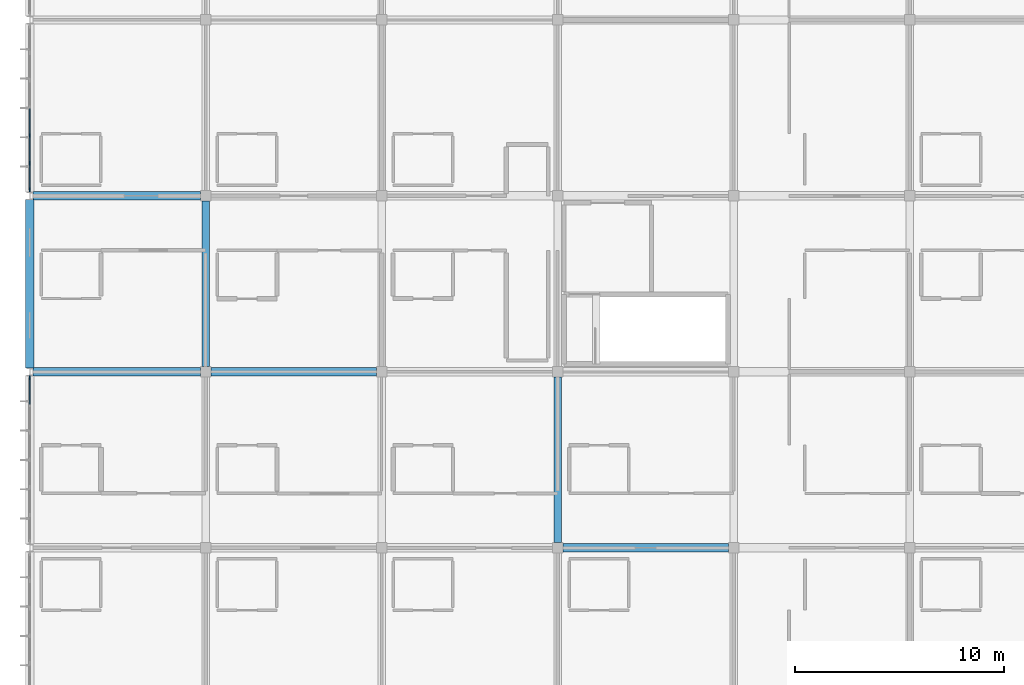
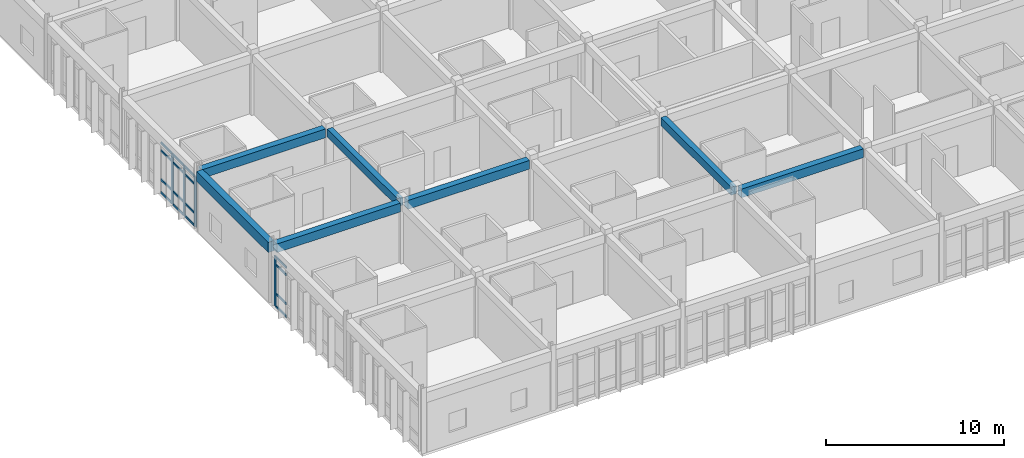
# One storey, part 11 of 144: 20 members, 7 beams, 2 elements without a shape of their own.
"""IFC4 building model written with IfcOpenShell, lengths in metres."""

from ifc_helpers import new_model, si_unit, direction, frame, origin, origin_2d, place, context, subcontext, project, spatial, rectangle, extrude, material, layer, layer_set, material_profile, profile_set, type_object, element, aggregate, save


model = new_model("IFC4")

# Units and contexts
model_context = context("Model", 3, precision=1e-05, world=origin(), true_north=direction((0.0, 1.0)))
body_context = subcontext(model_context, "Body", "Model", "MODEL_VIEW")
ifc_project = project(units=[si_unit("LENGTHUNIT", "METRE"), si_unit("AREAUNIT", "SQUARE_METRE"), si_unit("VOLUMEUNIT", "CUBIC_METRE"), si_unit("PLANEANGLEUNIT", "RADIAN"), si_unit("MASSUNIT", "GRAM", prefix="KILO")], contexts=[model_context])

# Site, building, storey
site_placement = place(None, origin())
site = spatial("IfcSite", under=ifc_project, at=site_placement, CompositionType="ELEMENT")
building_placement = place(site_placement, origin())
building = spatial("IfcBuilding", under=site, at=building_placement, Name="Bramfleet General Hospital", CompositionType="ELEMENT")
storey_placement = place(building_placement, frame((0.0, 0.0, 4.800048828125)))
storey = spatial("IfcBuildingStorey", under=building, at=storey_placement, Name="L01", CompositionType="ELEMENT", Elevation=4.800048828125)

# Beams
ifc_material_1 = material(Name="Concrete C35/45", Category="concrete")
ifc_material_profile_1 = material_profile(ifc_material_1, rectangle(XDim=0.35009765625, YDim=0.550048828125, at=origin_2d()), Name="RC BM 550x350")
ifc_profile_set_1 = profile_set([ifc_material_profile_1], Name="Concrete C35/45")
beam_type_1 = type_object("IfcBeamType", Name="BM-RC550", PredefinedType="BEAM", material=ifc_profile_set_1)
beam_1_placement = place(storey_placement, frame((8.39990234375, 17.050048828125, 3.875), z_axis=(0.0, 1.0, 0.0), x_axis=(-1.0, 0.0, 0.0)))
element("IfcBeam", 1, at=beam_1_placement, inside=storey, type_object=beam_type_1, Name="L01 Grid Beam Y 01-02", PredefinedType="BEAM", context=body_context, shape_type="SweptSolid", body=[
    extrude(rectangle(XDim=0.35009765625, YDim=0.550048828125, at=origin_2d()), origin(), (0.0, 0.0, 1.0), 7.89990234375),
])
beam_2_placement = place(storey_placement, frame((25.199951171875, 8.64990234375, 3.875), z_axis=(0.0, 1.0, 0.0), x_axis=(-1.0, 0.0, 0.0)))
element("IfcBeam", 2, at=beam_2_placement, inside=storey, type_object=beam_type_1, Name="L01 Grid Beam Y 03-01", PredefinedType="BEAM", context=body_context, shape_type="SweptSolid", body=[
    extrude(rectangle(XDim=0.35009765625, YDim=0.550048828125, at=origin_2d()), origin(), (0.0, 0.0, 1.0), 7.900146484375),
])
ifc_material_profile_2 = material_profile(ifc_material_1, rectangle(XDim=0.39990234375, YDim=0.60009765625, at=origin_2d()), Name="RC BM 600x400")
ifc_profile_set_2 = profile_set([ifc_material_profile_2], Name="Concrete C35/45")
beam_type_2 = type_object("IfcBeamType", Name="BM-RC600", PredefinedType="BEAM", material=ifc_profile_set_2)
for number, where, z_axis, x_axis, name in (
    (3, (0.14990234375, 16.800048828125, 3.849853515625), (1.0, 0.0, 0.0), (0.0, 1.0, 0.0), "L01 Grid Beam X 00-02"),
    (4, (0.14990234375, 25.199951171875, 3.849853515625), (1.0, 0.0, 0.0), (0.0, 1.0, 0.0), "L01 Grid Beam X 00-03"),
):
    element("IfcBeam", number, at=place(storey_placement, frame(where, z_axis=z_axis, x_axis=x_axis)), inside=storey, type_object=beam_type_2, Name=name, PredefinedType="BEAM", context=body_context, shape_type="SweptSolid", body=[
        extrude(rectangle(XDim=0.39990234375, YDim=0.60009765625, at=origin_2d()), origin(), (0.0, 0.0, 1.0), 8.0),
    ])
for number, where, z_axis, x_axis, name in (
    (5, (8.64990234375, 16.800048828125, 3.849853515625), (1.0, 0.0, 0.0), (0.0, 1.0, 0.0), "L01 Grid Beam X 01-02"),
    (6, (25.449951171875, 8.39990234375, 3.849853515625), (1.0, 0.0, 0.0), (0.0, 1.0, 0.0), "L01 Grid Beam X 03-01"),
):
    element("IfcBeam", number, at=place(storey_placement, frame(where, z_axis=z_axis, x_axis=x_axis)), inside=storey, type_object=beam_type_2, Name=name, PredefinedType="BEAM", context=body_context, shape_type="SweptSolid", body=[
        extrude(rectangle(XDim=0.39990234375, YDim=0.60009765625, at=origin_2d()), origin(), (0.0, 0.0, 1.0), 7.900146484375),
    ])
ifc_material_profile_3 = material_profile(ifc_material_1, rectangle(XDim=0.39990234375, YDim=0.699951171875, at=origin_2d()), Name="RC SP 700x400")
ifc_profile_set_3 = profile_set([ifc_material_profile_3], Name="Concrete C35/45")
beam_type_3 = type_object("IfcBeamType", Name="BM-SP700", PredefinedType="SPANDREL", material=ifc_profile_set_3)
beam_3_placement = place(storey_placement, frame((0.0, 16.97998046875, 3.800048828125), z_axis=(0.0, 1.0, 0.0), x_axis=(-1.0, 0.0, 0.0)))
element("IfcBeam", 7, at=beam_3_placement, inside=storey, type_object=beam_type_3, Name="L01 Grid Beam Y 00-02", PredefinedType="SPANDREL", context=body_context, shape_type="SweptSolid", body=[
    extrude(rectangle(XDim=0.39990234375, YDim=0.699951171875, at=origin_2d()), origin(), (0.0, 0.0, 1.0), 8.0400390625),
])

# Curtain wall, member
ifc_material_2 = material(Name="Anodised aluminium and low-E triple glazing", Category="aluminium")
ifc_layer_1 = layer(ifc_material_2, 0.179931640625, Name="CWT-CW-18")
ifc_layer_set_1 = layer_set([ifc_layer_1], Name="Anodised aluminium and low-E triple glazing")
curtain_wall_type_1 = type_object("IfcCurtainWallType", Name="CWT-CW-18", PredefinedType="USERDEFINED", material=ifc_layer_set_1)
curtain_wall_1_placement = place(storey_placement, origin())
curtain_wall_1 = element("IfcCurtainWall", 8, at=curtain_wall_1_placement, inside=storey, type_object=curtain_wall_type_1, Name="L01 Curtain Wall 90", ObjectType="Stick curtain wall", PredefinedType="USERDEFINED")
ifc_material_3 = material(Name="Structural timber GL28h", Category="wood")
ifc_material_profile_4 = material_profile(ifc_material_3, rectangle(XDim=0.070068359375, YDim=0.18994140625, at=origin_2d()), Name="LARCH 190x70")
ifc_profile_set_4 = profile_set([ifc_material_profile_4], Name="Structural timber GL28h")
member_type_1 = type_object("IfcMemberType", Name="CWM-LARCH450", PredefinedType="MULLION", material=ifc_profile_set_4)
member_1_placement = place(storey_placement, frame((0.0, 16.510009765625, 0.0), z_axis=(0.0, 0.0, 1.0), x_axis=(-1.0, 0.0, 0.0)))
member_1 = element("IfcMember", 9, at=member_1_placement, type_object=member_type_1, Name="CW-18 mullion 7", PredefinedType="MULLION", context=body_context, shape_type="SweptSolid", body=[
    extrude(rectangle(XDim=0.070068359375, YDim=0.18994140625, at=origin_2d()), origin(), (0.0, 0.0, 1.0), 3.43994140625),
])

# Curtain wall, members
ifc_layer_2 = layer(ifc_material_2, 0.179931640625, Name="CWT-CW-01")
ifc_layer_set_2 = layer_set([ifc_layer_2], Name="Anodised aluminium and low-E triple glazing")
curtain_wall_type_2 = type_object("IfcCurtainWallType", Name="CWT-CW-01", PredefinedType="USERDEFINED", material=ifc_layer_set_2)
curtain_wall_2_placement = place(storey_placement, origin())
curtain_wall_2 = element("IfcCurtainWall", 10, at=curtain_wall_2_placement, inside=storey, type_object=curtain_wall_type_2, Name="L01 Curtain Wall 91", ObjectType="Unitised curtain wall", PredefinedType="USERDEFINED")
member_2_placement = place(storey_placement, frame((0.0, 25.489990234375, 0.0), z_axis=(0.0, 0.0, 1.0), x_axis=(-1.0, 0.0, 0.0)))
member_2 = element("IfcMember", 11, at=member_2_placement, type_object=member_type_1, Name="CW-01 mullion 1", PredefinedType="MULLION", context=body_context, shape_type="SweptSolid", body=[
    extrude(rectangle(XDim=0.070068359375, YDim=0.18994140625, at=origin_2d()), origin(), (0.0, 0.0, 1.0), 3.43994140625),
])
member_3_placement = place(storey_placement, frame((0.0, 26.77001953125, 0.0), z_axis=(0.0, 0.0, 1.0), x_axis=(-1.0, 0.0, 0.0)))
member_3 = element("IfcMember", 12, at=member_3_placement, type_object=member_type_1, Name="CW-01 mullion 2", PredefinedType="MULLION", context=body_context, shape_type="SweptSolid", body=[
    extrude(rectangle(XDim=0.070068359375, YDim=0.18994140625, at=origin_2d()), origin(), (0.0, 0.0, 1.0), 3.43994140625),
])
member_4_placement = place(storey_placement, frame((0.0, 28.0849609375, 0.0), z_axis=(0.0, 0.0, 1.0), x_axis=(-1.0, 0.0, 0.0)))
member_4 = element("IfcMember", 13, at=member_4_placement, type_object=member_type_1, Name="CW-01 mullion 3", PredefinedType="MULLION", context=body_context, shape_type="SweptSolid", body=[
    extrude(rectangle(XDim=0.070068359375, YDim=0.18994140625, at=origin_2d()), origin(), (0.0, 0.0, 1.0), 3.43994140625),
])

# Member
ifc_material_profile_5 = material_profile(ifc_material_3, rectangle(XDim=0.06494140625, YDim=0.14990234375, at=origin_2d()), Name="LARCH 150x65")
ifc_profile_set_5 = profile_set([ifc_material_profile_5], Name="Structural timber GL28h")
member_type_2 = type_object("IfcMemberType", Name="CWT-LARCH220", PredefinedType="USERDEFINED", material=ifc_profile_set_5)
member_5_placement = place(storey_placement, frame((0.0, 15.264892578125, 0.032470703125), z_axis=(0.0, 1.0, 0.0), x_axis=(-1.0, 0.0, 0.0)))
member_5 = element("IfcMember", 14, at=member_5_placement, type_object=member_type_2, Name="CW-18 transom 6.1", ObjectType="TRANSOM", PredefinedType="USERDEFINED", context=body_context, shape_type="SweptSolid", body=[
    extrude(rectangle(XDim=0.06494140625, YDim=0.14990234375, at=origin_2d()), origin(), (0.0, 0.0, 1.0), 1.210205078125),
])

member_6_placement = place(storey_placement, frame((0.0, 15.264892578125, 0.89990234375), z_axis=(0.0, 1.0, 0.0), x_axis=(-1.0, 0.0, 0.0)))
member_6 = element("IfcMember", 15, at=member_6_placement, type_object=member_type_2, Name="CW-18 transom 6.2", ObjectType="TRANSOM", PredefinedType="USERDEFINED", context=body_context, shape_type="SweptSolid", body=[
    extrude(rectangle(XDim=0.06494140625, YDim=0.14990234375, at=origin_2d()), origin(), (0.0, 0.0, 1.0), 1.210205078125),
])

member_7_placement = place(storey_placement, frame((0.0, 15.264892578125, 2.889892578125), z_axis=(0.0, 1.0, 0.0), x_axis=(-1.0, 0.0, 0.0)))
member_7 = element("IfcMember", 16, at=member_7_placement, type_object=member_type_2, Name="CW-18 transom 6.3", ObjectType="TRANSOM", PredefinedType="USERDEFINED", context=body_context, shape_type="SweptSolid", body=[
    extrude(rectangle(XDim=0.06494140625, YDim=0.14990234375, at=origin_2d()), origin(), (0.0, 0.0, 1.0), 1.210205078125),
])

member_8_placement = place(storey_placement, frame((0.0, 15.264892578125, 3.407470703125), z_axis=(0.0, 1.0, 0.0), x_axis=(-1.0, 0.0, 0.0)))
member_8 = element("IfcMember", 17, at=member_8_placement, type_object=member_type_2, Name="CW-18 transom 6.4", ObjectType="TRANSOM", PredefinedType="USERDEFINED", context=body_context, shape_type="SweptSolid", body=[
    extrude(rectangle(XDim=0.06494140625, YDim=0.14990234375, at=origin_2d()), origin(), (0.0, 0.0, 1.0), 1.210205078125),
])

aggregate(curtain_wall_1, [member_1, member_5, member_6, member_7, member_8])

member_9_placement = place(storey_placement, frame((0.0, 25.52490234375, 0.032470703125), z_axis=(0.0, 1.0, 0.0), x_axis=(-1.0, 0.0, 0.0)))
member_9 = element("IfcMember", 18, at=member_9_placement, type_object=member_type_2, Name="CW-01 transom 1.1", ObjectType="TRANSOM", PredefinedType="USERDEFINED", context=body_context, shape_type="SweptSolid", body=[
    extrude(rectangle(XDim=0.06494140625, YDim=0.14990234375, at=origin_2d()), origin(), (0.0, 0.0, 1.0), 1.210205078125),
])

member_10_placement = place(storey_placement, frame((0.0, 25.52490234375, 0.89990234375), z_axis=(0.0, 1.0, 0.0), x_axis=(-1.0, 0.0, 0.0)))
member_10 = element("IfcMember", 19, at=member_10_placement, type_object=member_type_2, Name="CW-01 transom 1.2", ObjectType="TRANSOM", PredefinedType="USERDEFINED", context=body_context, shape_type="SweptSolid", body=[
    extrude(rectangle(XDim=0.06494140625, YDim=0.14990234375, at=origin_2d()), origin(), (0.0, 0.0, 1.0), 1.210205078125),
])

member_11_placement = place(storey_placement, frame((0.0, 25.52490234375, 2.889892578125), z_axis=(0.0, 1.0, 0.0), x_axis=(-1.0, 0.0, 0.0)))
member_11 = element("IfcMember", 20, at=member_11_placement, type_object=member_type_2, Name="CW-01 transom 1.3", ObjectType="TRANSOM", PredefinedType="USERDEFINED", context=body_context, shape_type="SweptSolid", body=[
    extrude(rectangle(XDim=0.06494140625, YDim=0.14990234375, at=origin_2d()), origin(), (0.0, 0.0, 1.0), 1.210205078125),
])

member_12_placement = place(storey_placement, frame((0.0, 25.52490234375, 3.407470703125), z_axis=(0.0, 1.0, 0.0), x_axis=(-1.0, 0.0, 0.0)))
member_12 = element("IfcMember", 21, at=member_12_placement, type_object=member_type_2, Name="CW-01 transom 1.4", ObjectType="TRANSOM", PredefinedType="USERDEFINED", context=body_context, shape_type="SweptSolid", body=[
    extrude(rectangle(XDim=0.06494140625, YDim=0.14990234375, at=origin_2d()), origin(), (0.0, 0.0, 1.0), 1.210205078125),
])

member_13_placement = place(storey_placement, frame((0.0, 26.804931640625, 0.032470703125), z_axis=(0.0, 1.0, 0.0), x_axis=(-1.0, 0.0, 0.0)))
member_13 = element("IfcMember", 22, at=member_13_placement, type_object=member_type_2, Name="CW-01 transom 2.1", ObjectType="TRANSOM", PredefinedType="USERDEFINED", context=body_context, shape_type="SweptSolid", body=[
    extrude(rectangle(XDim=0.06494140625, YDim=0.14990234375, at=origin_2d()), origin(), (0.0, 0.0, 1.0), 1.2451171875),
])

member_14_placement = place(storey_placement, frame((0.0, 26.804931640625, 0.89990234375), z_axis=(0.0, 1.0, 0.0), x_axis=(-1.0, 0.0, 0.0)))
member_14 = element("IfcMember", 23, at=member_14_placement, type_object=member_type_2, Name="CW-01 transom 2.2", ObjectType="TRANSOM", PredefinedType="USERDEFINED", context=body_context, shape_type="SweptSolid", body=[
    extrude(rectangle(XDim=0.06494140625, YDim=0.14990234375, at=origin_2d()), origin(), (0.0, 0.0, 1.0), 1.2451171875),
])

member_15_placement = place(storey_placement, frame((0.0, 26.804931640625, 2.889892578125), z_axis=(0.0, 1.0, 0.0), x_axis=(-1.0, 0.0, 0.0)))
member_15 = element("IfcMember", 24, at=member_15_placement, type_object=member_type_2, Name="CW-01 transom 2.3", ObjectType="TRANSOM", PredefinedType="USERDEFINED", context=body_context, shape_type="SweptSolid", body=[
    extrude(rectangle(XDim=0.06494140625, YDim=0.14990234375, at=origin_2d()), origin(), (0.0, 0.0, 1.0), 1.2451171875),
])

member_16_placement = place(storey_placement, frame((0.0, 26.804931640625, 3.407470703125), z_axis=(0.0, 1.0, 0.0), x_axis=(-1.0, 0.0, 0.0)))
member_16 = element("IfcMember", 25, at=member_16_placement, type_object=member_type_2, Name="CW-01 transom 2.4", ObjectType="TRANSOM", PredefinedType="USERDEFINED", context=body_context, shape_type="SweptSolid", body=[
    extrude(rectangle(XDim=0.06494140625, YDim=0.14990234375, at=origin_2d()), origin(), (0.0, 0.0, 1.0), 1.2451171875),
])

member_17_placement = place(storey_placement, frame((0.0, 28.1201171875, 0.032470703125), z_axis=(0.0, 1.0, 0.0), x_axis=(-1.0, 0.0, 0.0)))
member_17 = element("IfcMember", 26, at=member_17_placement, type_object=member_type_2, Name="CW-01 transom 3.1", ObjectType="TRANSOM", PredefinedType="USERDEFINED", context=body_context, shape_type="SweptSolid", body=[
    extrude(rectangle(XDim=0.06494140625, YDim=0.14990234375, at=origin_2d()), origin(), (0.0, 0.0, 1.0), 1.244873046875),
])

member_18_placement = place(storey_placement, frame((0.0, 28.1201171875, 0.89990234375), z_axis=(0.0, 1.0, 0.0), x_axis=(-1.0, 0.0, 0.0)))
member_18 = element("IfcMember", 27, at=member_18_placement, type_object=member_type_2, Name="CW-01 transom 3.2", ObjectType="TRANSOM", PredefinedType="USERDEFINED", context=body_context, shape_type="SweptSolid", body=[
    extrude(rectangle(XDim=0.06494140625, YDim=0.14990234375, at=origin_2d()), origin(), (0.0, 0.0, 1.0), 1.244873046875),
])

member_19_placement = place(storey_placement, frame((0.0, 28.1201171875, 2.889892578125), z_axis=(0.0, 1.0, 0.0), x_axis=(-1.0, 0.0, 0.0)))
member_19 = element("IfcMember", 28, at=member_19_placement, type_object=member_type_2, Name="CW-01 transom 3.3", ObjectType="TRANSOM", PredefinedType="USERDEFINED", context=body_context, shape_type="SweptSolid", body=[
    extrude(rectangle(XDim=0.06494140625, YDim=0.14990234375, at=origin_2d()), origin(), (0.0, 0.0, 1.0), 1.244873046875),
])

member_20_placement = place(storey_placement, frame((0.0, 28.1201171875, 3.407470703125), z_axis=(0.0, 1.0, 0.0), x_axis=(-1.0, 0.0, 0.0)))
member_20 = element("IfcMember", 29, at=member_20_placement, type_object=member_type_2, Name="CW-01 transom 3.4", ObjectType="TRANSOM", PredefinedType="USERDEFINED", context=body_context, shape_type="SweptSolid", body=[
    extrude(rectangle(XDim=0.06494140625, YDim=0.14990234375, at=origin_2d()), origin(), (0.0, 0.0, 1.0), 1.244873046875),
])

aggregate(curtain_wall_2, [member_2, member_3, member_4, member_9, member_10, member_11, member_12, member_13, member_14, member_15, member_16, member_17, member_18, member_19, member_20])

save(model, "model.ifc")
